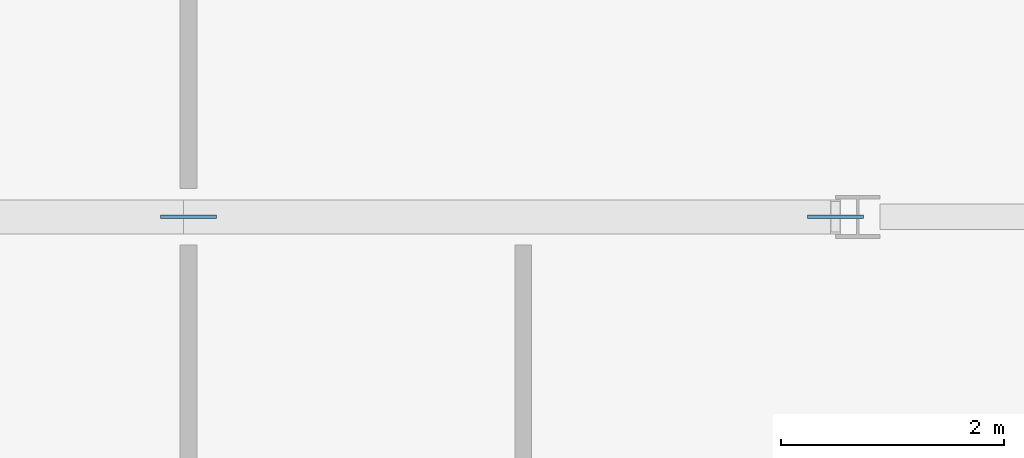
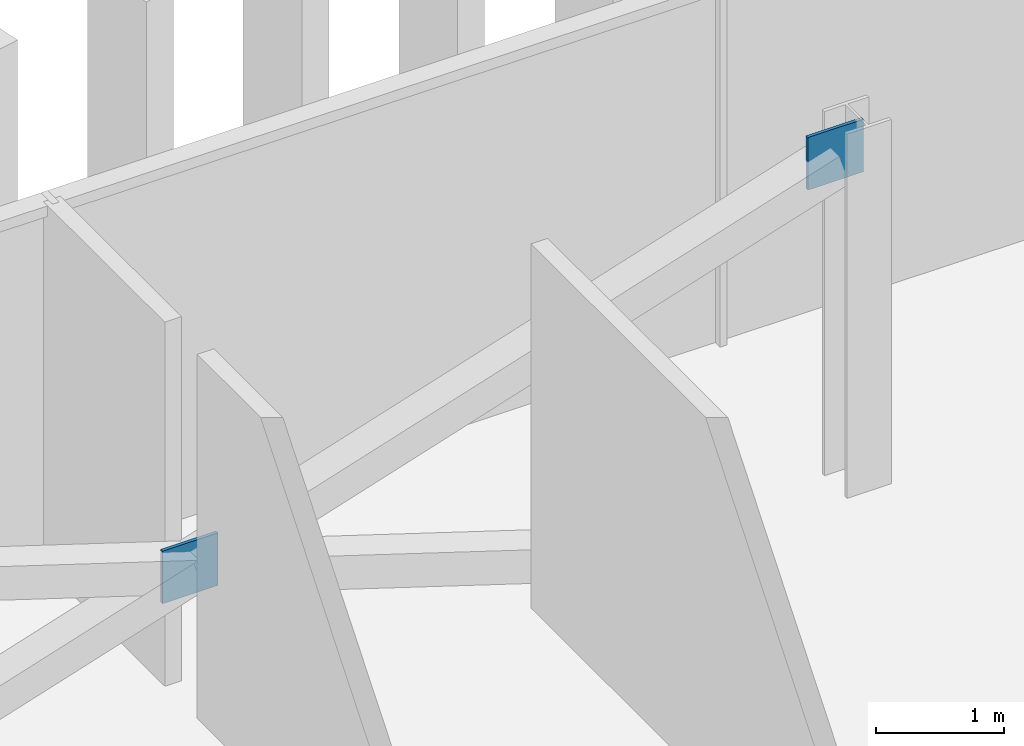
# One storey, part 24 of 32: 2 discrete accessories.
"""IFC4 building model written with IfcOpenShell, lengths in metres."""

from ifc_helpers import new_model, si_unit, direction, frame, origin, origin_2d, place, context, subcontext, project, spatial, rectangle, extrude, material, layer, layer_set, type_object, element, save


model = new_model("IFC4")

# Units and contexts
model_context = context("Model", 3, precision=1e-05, world=origin(), true_north=direction((0.0, 1.0)))
body_context = subcontext(model_context, "Body", "Model", "MODEL_VIEW")
ifc_project = project(units=[si_unit("LENGTHUNIT", "METRE"), si_unit("AREAUNIT", "SQUARE_METRE"), si_unit("VOLUMEUNIT", "CUBIC_METRE"), si_unit("PLANEANGLEUNIT", "RADIAN"), si_unit("MASSUNIT", "GRAM", prefix="KILO")], contexts=[model_context])

# Site, building, storey
site_placement = place(None, origin())
site = spatial("IfcSite", under=ifc_project, at=site_placement, CompositionType="ELEMENT")
building_placement = place(site_placement, origin())
building = spatial("IfcBuilding", under=site, at=building_placement, Name="Mahtab Terrace Research Tower", CompositionType="ELEMENT")
storey_placement = place(building_placement, frame((0.0, 0.0, 232.39990234375)))
storey = spatial("IfcBuildingStorey", under=building, at=storey_placement, Name="L56", CompositionType="ELEMENT", Elevation=232.39990234375)

# Discrete accessories
ifc_material = material(Name="Steel ASTM A992 Gr 50", Category="steel")
ifc_layer = layer(ifc_material, 0.030029296875)
ifc_layer_set = layer_set([ifc_layer], Name="Gusset plate 500x500x30")
discrete_accessory_type = type_object("IfcDiscreteAccessoryType", Name="Gusset plate 500x500x30", PredefinedType="USERDEFINED", material=ifc_layer_set)
for number, where, z_axis, x_axis, name in (
    (1, (0.0, 26.472900390625, 1.006591796875), (0.0, 0.0, 1.0), (1.0, 0.0, 0.0), "Gusset plate"),
    (2, (5.800537109375, 26.472900390625, 2.906494140625), (0.0, 0.0, 1.0), (1.0, 0.0, 0.0), "Gusset plate"),
):
    element("IfcDiscreteAccessory", number, at=place(storey_placement, frame(where, z_axis=z_axis, x_axis=x_axis)), inside=storey, type_object=discrete_accessory_type, Name=name, ObjectType="GUSSET PLATE", PredefinedType="USERDEFINED", context=body_context, shape_type="SweptSolid", body=[
        extrude(rectangle(XDim=0.5, YDim=0.030029296875, at=origin_2d()), origin(), (0.0, 0.0, 1.0), 0.5),
    ])

save(model, "model.ifc")
